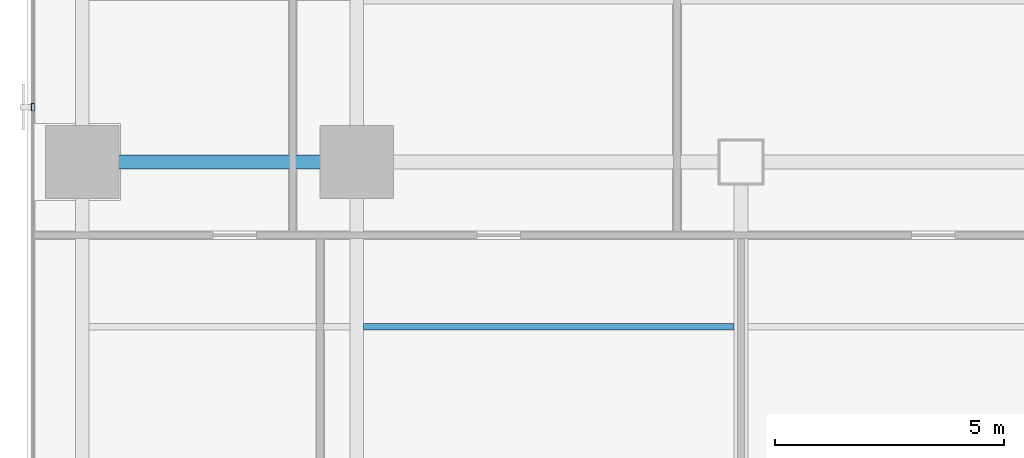
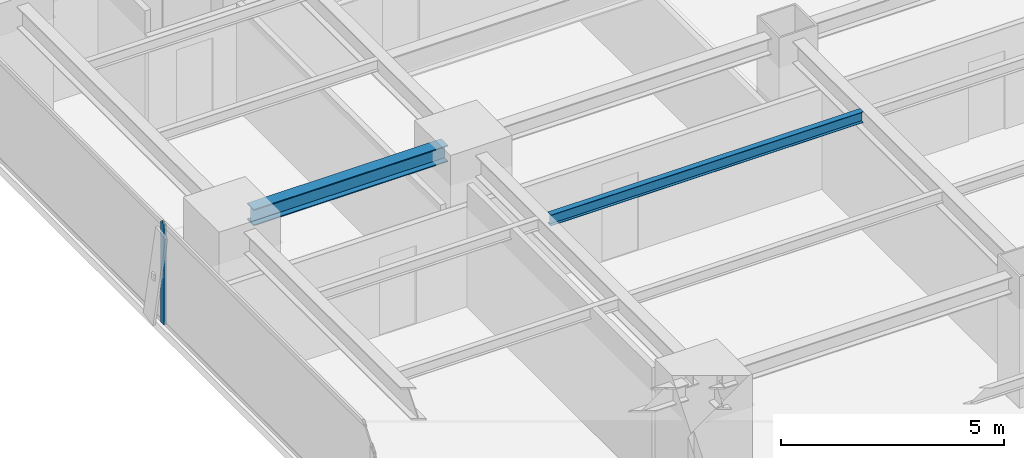
# One storey, part 7 of 28: 2 beams, 1 member, 1 element without a shape of its own.
"""IFC4 building model written with IfcOpenShell, lengths in metres."""

from ifc_helpers import new_model, si_unit, direction, frame, origin, origin_2d, place, context, subcontext, project, spatial, hollow_rectangle, i_section, extrude, source, transform, mapped, material, layer, layer_set, material_profile, profile_set, type_object, element, aggregate, save


model = new_model("IFC4")

# Units and contexts
model_context = context("Model", 3, precision=1e-05, world=origin(), true_north=direction((0.0, 1.0)))
body_context = subcontext(model_context, "Body", "Model", "MODEL_VIEW")
ifc_project = project(units=[si_unit("LENGTHUNIT", "METRE"), si_unit("AREAUNIT", "SQUARE_METRE"), si_unit("VOLUMEUNIT", "CUBIC_METRE"), si_unit("PLANEANGLEUNIT", "RADIAN"), si_unit("MASSUNIT", "GRAM", prefix="KILO")], contexts=[model_context])

# Site, building, storey
site_placement = place(None, origin())
site = spatial("IfcSite", under=ifc_project, at=site_placement, CompositionType="ELEMENT")
building_placement = place(site_placement, origin())
building = spatial("IfcBuilding", under=site, at=building_placement, Name="Sumidabori Civic Tower", CompositionType="ELEMENT")
storey_placement = place(building_placement, frame((0.0, 0.0, 149.60009765625)))
storey = spatial("IfcBuildingStorey", under=building, at=storey_placement, Name="L38", CompositionType="ELEMENT", Elevation=149.60009765625)

# Beams
ifc_material_1 = material(Name="Steel SN490", Category="steel")
ifc_material_profile_1 = material_profile(ifc_material_1, i_section(OverallWidth=0.14990234375, OverallDepth=0.300048828125, WebThickness=0.007080078125, FlangeThickness=0.0107421875, at=origin_2d()), Name="IPE 300")
ifc_profile_set_1 = profile_set([ifc_material_profile_1], Name="Steel SN490")
beam_type_1 = type_object("IfcBeamType", Name="BM-JST-300", PredefinedType="JOIST", material=ifc_profile_set_1)
shared_shape_1 = source(origin(), body_context, "Body", "SweptSolid", [
    extrude(i_section(OverallWidth=0.14990234375, OverallDepth=0.300048828125, WebThickness=0.007080078125, FlangeThickness=0.0107421875, at=origin_2d()), origin(), (0.0, 0.0, 1.0), 8.099853515625),
])
beam_1_placement = place(storey_placement, frame((-16.64990234375, -3.60009765625, 3.22998046875), z_axis=(1.0, 0.0, 0.0), x_axis=(0.0, 1.0, 0.0)))
element("IfcBeam", 1, at=beam_1_placement, inside=storey, type_object=beam_type_1, Name="South Bay Floor Joist L38 JSTS-57", PredefinedType="JOIST", context=body_context, shape_type="MappedRepresentation", body=[
    mapped(shared_shape_1, transform((0.0, 0.0, 0.0), x_axis=(1.0, 0.0, 0.0), y_axis=(0.0, 1.0, 0.0), z_axis=(0.0, 0.0, 1.0), scale=1.0)),
])
ifc_material_profile_2 = material_profile(ifc_material_1, i_section(OverallWidth=0.300048828125, OverallDepth=0.449951171875, WebThickness=0.013916015625, FlangeThickness=0.02587890625, at=origin_2d()), Name="HE 450 B")
ifc_profile_set_2 = profile_set([ifc_material_profile_2], Name="Steel SN490")
beam_type_2 = type_object("IfcBeamType", Name="BM-GIRD-450", PredefinedType="BEAM", material=ifc_profile_set_2)
shared_shape_2 = source(origin(), body_context, "Body", "SweptSolid", [
    extrude(i_section(OverallWidth=0.300048828125, OverallDepth=0.449951171875, WebThickness=0.013916015625, FlangeThickness=0.02587890625, at=origin_2d()), origin(), (0.0, 0.0, 1.0), 5.0400390625),
])
beam_2_placement = place(storey_placement, frame((-22.320068359375, 0.0, 3.15478515625), z_axis=(1.0, 0.0, 0.0), x_axis=(0.0, 1.0, 0.0)))
element("IfcBeam", 2, at=beam_2_placement, inside=storey, type_object=beam_type_2, Name="Primary Girder L38 GX-11", PredefinedType="BEAM", context=body_context, shape_type="MappedRepresentation", body=[
    mapped(shared_shape_2, transform((0.0, 0.0, 0.0), x_axis=(1.0, 0.0, 0.0), y_axis=(0.0, 1.0, 0.0), z_axis=(0.0, 0.0, 1.0), scale=1.0)),
])

# Curtain wall, member
ifc_material_2 = material(Name="Anodised Bronze Aluminium AW-6063-T6", Category="aluminium")
ifc_layer = layer(ifc_material_2, 0.179931640625, Name="Anodised Bronze Aluminium AW-6063-T6")
ifc_layer_set = layer_set([ifc_layer], Name="Anodised Bronze Aluminium AW-6063-T6")
curtain_wall_type = type_object("IfcCurtainWallType", Name="CW-SYS-3", PredefinedType="NOTDEFINED", material=ifc_layer_set)
curtain_wall_placement = place(storey_placement, origin())
curtain_wall = element("IfcCurtainWall", 3, at=curtain_wall_placement, inside=storey, type_object=curtain_wall_type, Name="Curtain Wall CW:L38:R10", PredefinedType="NOTDEFINED")
ifc_material_profile_3 = material_profile(ifc_material_2, hollow_rectangle(XDim=0.06494140625, YDim=0.159912109375, WallThickness=0.0048828125, at=origin_2d()), Name="ALU MULLION 160x65")
ifc_profile_set_3 = profile_set([ifc_material_profile_3], Name="Anodised Bronze Aluminium AW-6063-T6")
member_type = type_object("IfcMemberType", Name="CW-MUL-160", PredefinedType="MULLION", material=ifc_profile_set_3)
shared_shape_3 = source(origin(), body_context, "Body", "SweptSolid", [
    extrude(hollow_rectangle(XDim=0.06494140625, YDim=0.159912109375, WallThickness=0.0048828125, at=origin_2d()), origin(), (0.0, 0.0, 1.0), 2.760009765625),
])
member_placement = place(storey_placement, frame((-23.8798828125, 1.199951171875, 0.0), z_axis=(0.0, 0.0, 1.0), x_axis=(1.0, 0.0, 0.0)))
member = element("IfcMember", 4, at=member_placement, type_object=member_type, Name="CW-3 mullion 3", PredefinedType="MULLION", context=body_context, shape_type="MappedRepresentation", body=[
    mapped(shared_shape_3, transform((0.0, 0.0, 0.0), x_axis=(1.0, 0.0, 0.0), y_axis=(0.0, 1.0, 0.0), z_axis=(0.0, 0.0, 1.0), scale=1.0)),
])
aggregate(curtain_wall, [member])

save(model, "model.ifc")
